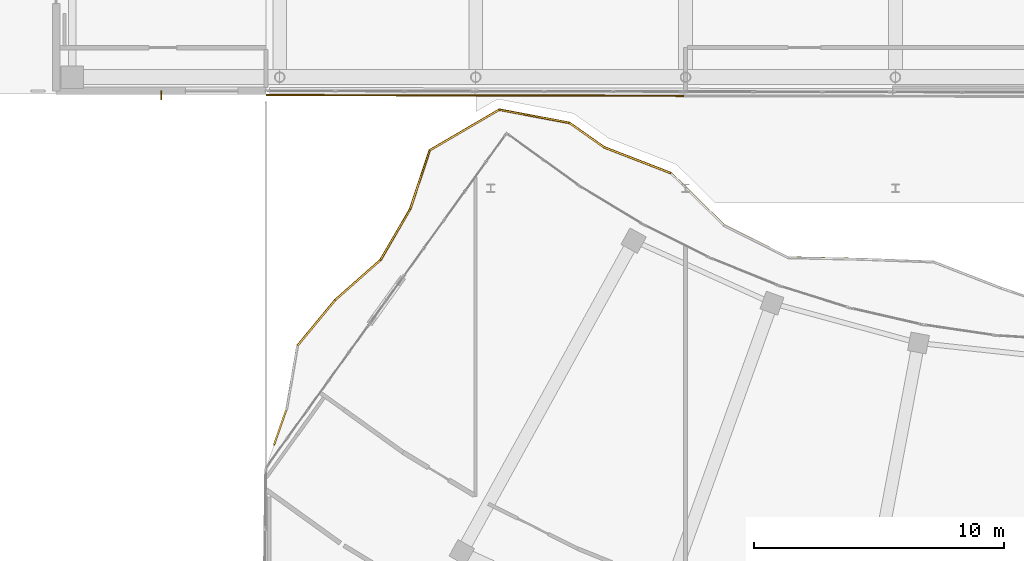
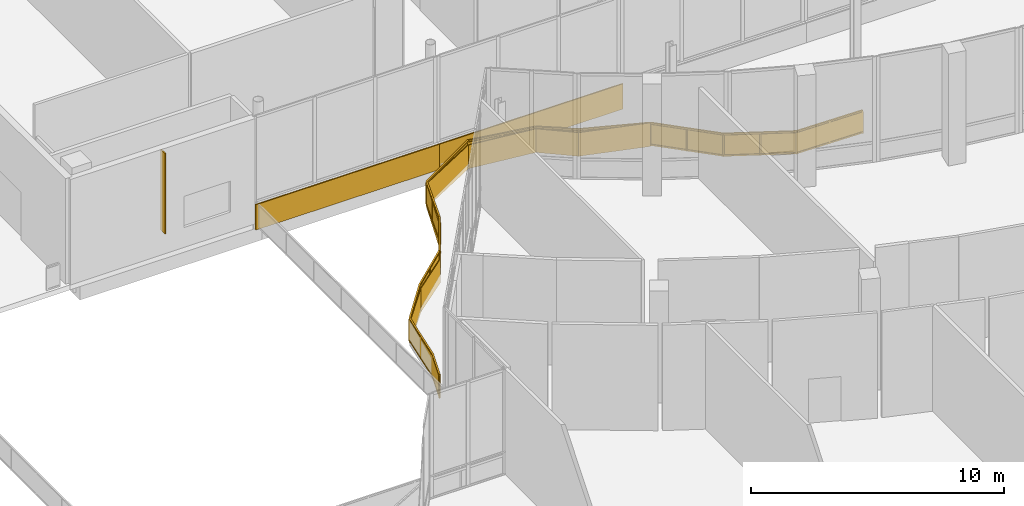
# One storey, part 148 of 158: 10 coverings, 1 railing, 1 shading device.
"""IFC4 building model written with IfcOpenShell, lengths in metres."""

from ifc_helpers import new_model, si_unit, direction, frame, origin, origin_2d, place, context, subcontext, project, spatial, polyline, rectangle, outline, extrude, material, layer, layer_set, type_object, element, save


model = new_model("IFC4")

# Units and contexts
model_context = context("Model", 3, precision=1e-05, world=origin(), true_north=direction((0.0, 1.0)))
body_context = subcontext(model_context, "Body", "Model", "MODEL_VIEW")
ifc_project = project(units=[si_unit("LENGTHUNIT", "METRE"), si_unit("AREAUNIT", "SQUARE_METRE"), si_unit("VOLUMEUNIT", "CUBIC_METRE"), si_unit("PLANEANGLEUNIT", "RADIAN"), si_unit("MASSUNIT", "GRAM", prefix="KILO")], contexts=[model_context])

# Site, building, storey
site_placement = place(None, origin())
site = spatial("IfcSite", under=ifc_project, at=site_placement, CompositionType="ELEMENT")
building_placement = place(site_placement, origin())
building = spatial("IfcBuilding", under=site, at=building_placement, Name="Selatvlak General Hospital", CompositionType="ELEMENT")
storey_placement = place(building_placement, origin())
storey = spatial("IfcBuildingStorey", under=building, at=storey_placement, Name="L00", CompositionType="ELEMENT", Elevation=0.0)

# Coverings
ifc_material_1 = material(Name="PVDF aluminium fascia - oxide red", Category="aluminium")
ifc_layer_1 = layer(ifc_material_1, 0.070068359375, Name="PVDF aluminium fascia - oxide red", Category="aluminium")
ifc_layer_set_1 = layer_set([ifc_layer_1], Name="PVDF aluminium fascia - oxide red")
covering_type_1 = type_object("IfcCoveringType", Name="COV-RB-RED", PredefinedType="CLADDING", material=ifc_layer_set_1)
covering_1_placement = place(storey_placement, frame((36.3310546875, 49.748046875, -0.179931640625), z_axis=(0.0, 0.0, 1.0), x_axis=(-0.8178265362, 0.57546481794, 0.0)))
element("IfcCovering", 1, at=covering_1_placement, inside=storey, type_object=covering_type_1, Name="L00 De Stijl waving fascia streamer 001", PredefinedType="CLADDING", context=body_context, shape_type="SweptSolid", body=[
    extrude(outline(polyline([(0.0, 0.0), (1.6923828125, 0.079833984375), (1.6923828125, 1.2197265625), (0.0, 1.139892578125), (0.0, 0.0)])), frame((0.0, 0.03515625, 0.0), z_axis=(0.0, -1.0, 0.0), x_axis=(1.0, 0.0, 0.0)), (0.0, 0.0, 1.0), 0.070068359375),
])
covering_2_placement = place(storey_placement, frame((34.952880859375, 50.720947265625, -0.10009765625), z_axis=(0.0, 0.0, 1.0), x_axis=(-0.982630844031, 0.185571076302, 0.0)))
element("IfcCovering", 2, at=covering_2_placement, inside=storey, type_object=covering_type_1, Name="L00 De Stijl waving fascia streamer 002", PredefinedType="CLADDING", context=body_context, shape_type="SweptSolid", body=[
    extrude(outline(polyline([(0.0, 0.0), (2.861572265625, -0.1328125), (2.861572265625, 1.007080078125), (0.0, 1.139892578125), (0.0, 0.0)])), frame((0.0, 0.03515625, 0.0), z_axis=(0.0, -1.0, 0.0), x_axis=(1.0, 0.0, 0.0)), (0.0, 0.0, 1.0), 0.070068359375),
])
covering_3_placement = place(storey_placement, frame((32.15087890625, 51.2529296875, -0.23291015625), z_axis=(0.0, 0.0, 1.0), x_axis=(-0.863352783809, -0.504600803298, 0.0)))
element("IfcCovering", 3, at=covering_3_placement, inside=storey, type_object=covering_type_1, Name="L00 De Stijl waving fascia streamer 003", PredefinedType="CLADDING", context=body_context, shape_type="SweptSolid", body=[
    extrude(outline(polyline([(0.0, 0.0), (3.244140625, 0.141845703125), (3.244140625, 1.28173828125), (0.0, 1.139892578125), (0.0, 0.0)])), frame((0.0, 0.03515625, 0.0), z_axis=(0.0, -1.0, 0.0), x_axis=(1.0, 0.0, 0.0)), (0.0, 0.0, 1.0), 0.070068359375),
])
covering_4_placement = place(storey_placement, frame((29.35400390625, 49.618896484375, -0.091064453125), z_axis=(0.0, 0.0, 1.0), x_axis=(-0.314092833999, -0.949392274895, 0.0)))
element("IfcCovering", 4, at=covering_4_placement, inside=storey, type_object=covering_type_1, Name="L00 De Stijl waving fascia streamer 004", PredefinedType="CLADDING", context=body_context, shape_type="SweptSolid", body=[
    extrude(outline(polyline([(0.0, 0.0), (2.470947265625, -0.246826171875), (2.470947265625, 0.89306640625), (0.0, 1.139892578125), (0.0, 0.0)])), frame((0.0, 0.03515625, 0.0), z_axis=(0.0, -1.0, 0.0), x_axis=(1.0, 0.0, 0.0)), (0.0, 0.0, 1.0), 0.070068359375),
])
covering_5_placement = place(storey_placement, frame((28.577880859375, 47.27294921875, -0.337890625), z_axis=(0.0, 0.0, 1.0), x_axis=(-0.503999186591, -0.863704127532, 0.0)))
element("IfcCovering", 5, at=covering_5_placement, inside=storey, type_object=covering_type_1, Name="L00 De Stijl waving fascia streamer 005", PredefinedType="CLADDING", context=body_context, shape_type="SweptSolid", body=[
    extrude(outline(polyline([(0.0, 0.0), (2.36865234375, -0.0751953125), (2.36865234375, 1.064697265625), (0.0, 1.139892578125), (0.0, 0.0)])), frame((0.0, 0.03515625, 0.0), z_axis=(0.0, -1.0, 0.0), x_axis=(1.0, 0.0, 0.0)), (0.0, 0.0, 1.0), 0.070068359375),
])
covering_6_placement = place(storey_placement, frame((27.384033203125, 45.22705078125, -0.4130859375), z_axis=(0.0, 0.0, 1.0), x_axis=(-0.749200869086, -0.662342855145, 0.0)))
element("IfcCovering", 6, at=covering_6_placement, inside=storey, type_object=covering_type_1, Name="L00 De Stijl waving fascia streamer 006", PredefinedType="CLADDING", context=body_context, shape_type="SweptSolid", body=[
    extrude(outline(polyline([(0.0, 0.0), (2.417236328125, 0.177978515625), (2.417236328125, 1.31787109375), (0.0, 1.139892578125), (0.0, 0.0)])), frame((0.0, 0.03515625, 0.0), z_axis=(0.0, -1.0, 0.0), x_axis=(1.0, 0.0, 0.0)), (0.0, 0.0, 1.0), 0.070068359375),
])
covering_7_placement = place(storey_placement, frame((25.572998046875, 43.6259765625, -0.235107421875), z_axis=(0.0, 0.0, 1.0), x_axis=(-0.637324533634, -0.770595509219, 0.0)))
element("IfcCovering", 7, at=covering_7_placement, inside=storey, type_object=covering_type_1, Name="L00 De Stijl waving fascia streamer 007", PredefinedType="CLADDING", context=body_context, shape_type="SweptSolid", body=[
    extrude(outline(polyline([(0.0, 0.0), (2.36328125, 0.14013671875), (2.36328125, 1.280029296875), (0.0, 1.139892578125), (0.0, 0.0)])), frame((0.0, 0.03515625, 0.0), z_axis=(0.0, -1.0, 0.0), x_axis=(1.0, 0.0, 0.0)), (0.0, 0.0, 1.0), 0.070068359375),
])
covering_8_placement = place(storey_placement, frame((39.009033203125, 48.7099609375, -0.013916015625), z_axis=(0.0, 0.0, 1.0), x_axis=(-0.932512693906, 0.361137197895, 0.0)))
element("IfcCovering", 8, at=covering_8_placement, inside=storey, type_object=covering_type_1, Name="L00 De Stijl waving fascia streamer 102", PredefinedType="CLADDING", context=body_context, shape_type="SweptSolid", body=[
    extrude(outline(polyline([(0.0, 0.0), (2.871826171875, -0.166015625), (2.871826171875, 0.973876953125), (0.0, 1.139892578125), (0.0, 0.0)])), frame((0.0, 0.03515625, 0.0), z_axis=(0.0, -1.0, 0.0), x_axis=(1.0, 0.0, 0.0)), (0.0, 0.0, 1.0), 0.070068359375),
])
ifc_material_2 = material(Name="White Bauhaus fair-faced cladding panel")
ifc_layer_2 = layer(ifc_material_2, 0.054931640625, Name="White Bauhaus fair-faced cladding panel")
ifc_layer_set_2 = layer_set([ifc_layer_2], Name="White Bauhaus fair-faced cladding panel")
covering_type_2 = type_object("IfcCoveringType", Name="COV-WHT1", PredefinedType="CLADDING", material=ifc_layer_set_2)
for number, where, z_axis, x_axis, name in (
    (9, (35.35205078125, 51.81298828125, -0.27978515625), (0.0, 0.0, 1.0), (-0.999998384157, 0.001797688161, 0.0), "L00 Bauhaus horizontal white spandrel band 0026"),
    (10, (26.989990234375, 51.827880859375, -0.27978515625), (0.0, 0.0, 1.0), (-0.999998384157, 0.001797688161, 0.0), "L00 Bauhaus horizontal white spandrel band 0027"),
):
    element("IfcCovering", number, at=place(storey_placement, frame(where, z_axis=z_axis, x_axis=x_axis)), inside=storey, type_object=covering_type_2, Name=name, PredefinedType="CLADDING", context=body_context, shape_type="SweptSolid", body=[
        extrude(rectangle(XDim=8.362060546875, YDim=0.054931640625, at=origin_2d()), origin(), (0.0, 0.0, 1.0), 1.219970703125),
    ])

# Railing
ifc_material_3 = material(Name="Stainless steel 316 safety balustrade", Category="steel")
railing_type = type_object("IfcRailingType", Name="RAIL-BAL1", PredefinedType="BALUSTRADE", material=ifc_material_3)
railing_placement = place(storey_placement, frame((23.125, 37.840087890625, 0.0)))
element("IfcRailing", 11, at=railing_placement, inside=storey, type_object=railing_type, Name="L00 continuous curved balcony balustrade 0004", PredefinedType="BALUSTRADE", context=body_context, shape_type="SweptSolid", body=[
    extrude(rectangle(XDim=0.068115234375, YDim=0.068115234375, at=origin_2d()), frame((0.0009765625, 0.002685546875, 1.0859375), z_axis=(0.329530318394, 0.944144993769, 0.0), x_axis=(-0.944144993769, 0.329530318394, 0.0)), (0.0, 0.0, 1.0), 1.46630859375),
    extrude(rectangle(XDim=0.068115234375, YDim=0.068115234375, at=origin_2d()), frame((0.0009765625, 0.002685546875, 0.049072265625), z_axis=(0.329530318394, 0.944144993769, 0.0), x_axis=(-0.944144993769, 0.329530318394, 0.0)), (0.0, 0.0, 1.0), 1.46630859375),
    extrude(outline(polyline([(0.0, 0.0), (1.460205078125, 0.0), (1.460205078125, 0.94189453125), (0.0, 0.94189453125), (0.0, 0.0)])), frame((-0.01513671875, 0.011474609375, 0.0849609375), z_axis=(0.944144993769, -0.329530318394, 0.0), x_axis=(0.329530318394, 0.944144993769, 0.0)), (0.0, 0.0, 1.0), 0.031982421875),
    extrude(rectangle(XDim=0.068115234375, YDim=0.068115234375, at=origin_2d()), frame((0.485595703125, 1.392822265625, 1.0859375), z_axis=(0.169651227354, 0.985504165926, 0.0), x_axis=(-0.985504165926, 0.169651227354, 0.0)), (0.0, 0.0, 1.0), 2.6162109375),
    extrude(rectangle(XDim=0.068115234375, YDim=0.068115234375, at=origin_2d()), frame((0.485595703125, 1.392822265625, 0.049072265625), z_axis=(0.169651227354, 0.985504165926, 0.0), x_axis=(-0.985504165926, 0.169651227354, 0.0)), (0.0, 0.0, 1.0), 2.6162109375),
    extrude(outline(polyline([(0.0, 0.0), (2.610107421875, 0.0), (2.610107421875, 0.94189453125), (0.0, 0.94189453125), (0.0, 0.0)])), frame((0.468505859375, 1.39892578125, 0.0849609375), z_axis=(0.985504165926, -0.169651227354, 0.0), x_axis=(0.169651227354, 0.985504165926, 0.0)), (0.0, 0.0, 1.0), 0.031982421875),
    extrude(rectangle(XDim=0.068115234375, YDim=0.068115234375, at=origin_2d()), frame((0.931884765625, 3.97607421875, 1.0859375), z_axis=(0.637324533634, 0.770595509219, 0.0), x_axis=(-0.770595509219, 0.637324533634, 0.0)), (0.0, 0.0, 1.0), 2.357421875),
    extrude(rectangle(XDim=0.068115234375, YDim=0.068115234375, at=origin_2d()), frame((0.931884765625, 3.97607421875, 0.049072265625), z_axis=(0.637324533634, 0.770595509219, 0.0), x_axis=(-0.770595509219, 0.637324533634, 0.0)), (0.0, 0.0, 1.0), 2.357421875),
    extrude(outline(polyline([(0.0, 0.0), (2.35107421875, 0.0), (2.35107421875, 0.94189453125), (0.0, 0.94189453125), (0.0, 0.0)])), frame((0.919921875, 3.989990234375, 0.0849609375), z_axis=(0.770595509219, -0.637324533634, 0.0), x_axis=(0.637324533634, 0.770595509219, 0.0)), (0.0, 0.0, 1.0), 0.031982421875),
    extrude(rectangle(XDim=0.068115234375, YDim=0.068115234375, at=origin_2d()), frame((2.438232421875, 5.796875, 1.0859375), z_axis=(0.749200869086, 0.662342855145, 0.0), x_axis=(-0.662342855145, 0.749200869086, 0.0)), (0.0, 0.0, 1.0), 2.411376953125),
    extrude(rectangle(XDim=0.068115234375, YDim=0.068115234375, at=origin_2d()), frame((2.438232421875, 5.796875, 0.049072265625), z_axis=(0.749200869086, 0.662342855145, 0.0), x_axis=(-0.662342855145, 0.749200869086, 0.0)), (0.0, 0.0, 1.0), 2.411376953125),
    extrude(outline(polyline([(0.0, 0.0), (2.4052734375, 0.0), (2.4052734375, 0.94189453125), (0.0, 0.94189453125), (0.0, 0.0)])), frame((2.4287109375, 5.8125, 0.0849609375), z_axis=(0.662342855145, -0.749200869086, 0.0), x_axis=(0.749200869086, 0.662342855145, 0.0)), (0.0, 0.0, 1.0), 0.031982421875),
    extrude(rectangle(XDim=0.068115234375, YDim=0.068115234375, at=origin_2d()), frame((4.24853515625, 7.3984375, 1.0859375), z_axis=(0.503999186591, 0.863704127532, 0.0), x_axis=(-0.863704127532, 0.503999186591, 0.0)), (0.0, 0.0, 1.0), 2.36279296875),
    extrude(rectangle(XDim=0.068115234375, YDim=0.068115234375, at=origin_2d()), frame((4.24853515625, 7.3984375, 0.049072265625), z_axis=(0.503999186591, 0.863704127532, 0.0), x_axis=(-0.863704127532, 0.503999186591, 0.0)), (0.0, 0.0, 1.0), 2.36279296875),
    extrude(outline(polyline([(0.0, 0.0), (2.356689453125, 0.0), (2.356689453125, 0.94189453125), (0.0, 0.94189453125), (0.0, 0.0)])), frame((4.234619140625, 7.41015625, 0.0849609375), z_axis=(0.863704127532, -0.503999186591, 0.0), x_axis=(0.503999186591, 0.863704127532, 0.0)), (0.0, 0.0, 1.0), 0.031982421875),
    extrude(rectangle(XDim=0.068115234375, YDim=0.068115234375, at=origin_2d()), frame((5.44189453125, 9.444580078125, 1.0859375), z_axis=(0.314092833999, 0.949392274895, 0.0), x_axis=(-0.949392274895, 0.314092833999, 0.0)), (0.0, 0.0, 1.0), 2.465087890625),
    extrude(rectangle(XDim=0.068115234375, YDim=0.068115234375, at=origin_2d()), frame((5.44189453125, 9.444580078125, 0.049072265625), z_axis=(0.314092833999, 0.949392274895, 0.0), x_axis=(-0.949392274895, 0.314092833999, 0.0)), (0.0, 0.0, 1.0), 2.465087890625),
    extrude(outline(polyline([(0.0, 0.0), (2.458984375, 0.0), (2.458984375, 0.94189453125), (0.0, 0.94189453125), (0.0, 0.0)])), frame((5.42578125, 9.453125, 0.0849609375), z_axis=(0.949392274895, -0.314092833999, 0.0), x_axis=(0.314092833999, 0.949392274895, 0.0)), (0.0, 0.0, 1.0), 0.031982421875),
    extrude(rectangle(XDim=0.068115234375, YDim=0.068115234375, at=origin_2d()), frame((6.219482421875, 11.789306640625, 1.0859375), z_axis=(0.863371944127, 0.504568019295, 0.0), x_axis=(-0.504568019295, 0.863371944127, 0.0)), (0.0, 0.0, 1.0), 3.238525390625),
    extrude(rectangle(XDim=0.068115234375, YDim=0.068115234375, at=origin_2d()), frame((6.219482421875, 11.789306640625, 0.049072265625), z_axis=(0.863371944127, 0.504568019295, 0.0), x_axis=(-0.504568019295, 0.863371944127, 0.0)), (0.0, 0.0, 1.0), 3.238525390625),
    extrude(outline(polyline([(0.0, 0.0), (3.232177734375, 0.0), (3.232177734375, 0.94189453125), (0.0, 0.94189453125), (0.0, 0.0)])), frame((6.213134765625, 11.806396484375, 0.0849609375), z_axis=(0.504568019295, -0.863371944127, 0.0), x_axis=(0.863371944127, 0.504568019295, 0.0)), (0.0, 0.0, 1.0), 0.031982421875),
    extrude(rectangle(XDim=0.068115234375, YDim=0.068115234375, at=origin_2d()), frame((9.02099609375, 13.42431640625, 1.0859375), z_axis=(0.982633781795, -0.185555519657, 0.0), x_axis=(0.185555519657, 0.982633781795, 0.0)), (0.0, 0.0, 1.0), 2.85595703125),
    extrude(rectangle(XDim=0.068115234375, YDim=0.068115234375, at=origin_2d()), frame((9.02099609375, 13.42431640625, 0.049072265625), z_axis=(0.982633781795, -0.185555519657, 0.0), x_axis=(0.185555519657, 0.982633781795, 0.0)), (0.0, 0.0, 1.0), 2.85595703125),
    extrude(outline(polyline([(0.0, 0.0), (2.849609375, 0.0), (2.849609375, 0.94189453125), (0.0, 0.94189453125), (0.0, 0.0)])), frame((9.02734375, 13.44140625, 0.0849609375), z_axis=(-0.185555519657, -0.982633781795, 0.0), x_axis=(0.982633781795, -0.185555519657, 0.0)), (0.0, 0.0, 1.0), 0.031982421875),
    extrude(rectangle(XDim=0.068115234375, YDim=0.068115234375, at=origin_2d()), frame((11.83251953125, 12.89208984375, 1.0859375), z_axis=(0.8178265362, -0.57546481794, 0.0), x_axis=(0.57546481794, 0.8178265362, 0.0)), (0.0, 0.0, 1.0), 1.6865234375),
    extrude(rectangle(XDim=0.068115234375, YDim=0.068115234375, at=origin_2d()), frame((11.83251953125, 12.89208984375, 0.049072265625), z_axis=(0.8178265362, -0.57546481794, 0.0), x_axis=(0.57546481794, 0.8178265362, 0.0)), (0.0, 0.0, 1.0), 1.6865234375),
    extrude(outline(polyline([(0.0, 0.0), (1.680419921875, 0.0), (1.680419921875, 0.94189453125), (0.0, 0.94189453125), (0.0, 0.0)])), frame((11.845458984375, 12.905029296875, 0.0849609375), z_axis=(-0.57546481794, -0.8178265362, 0.0), x_axis=(0.8178265362, -0.57546481794, 0.0)), (0.0, 0.0, 1.0), 0.031982421875),
    extrude(rectangle(XDim=0.068115234375, YDim=0.068115234375, at=origin_2d()), frame((13.216796875, 11.9189453125, 1.0859375), z_axis=(0.932512693906, -0.361137197895, 0.0), x_axis=(0.361137197895, 0.932512693906, 0.0)), (0.0, 0.0, 1.0), 2.865966796875),
    extrude(rectangle(XDim=0.068115234375, YDim=0.068115234375, at=origin_2d()), frame((13.216796875, 11.9189453125, 0.049072265625), z_axis=(0.932512693906, -0.361137197895, 0.0), x_axis=(0.361137197895, 0.932512693906, 0.0)), (0.0, 0.0, 1.0), 2.865966796875),
    extrude(outline(polyline([(0.0, 0.0), (2.85986328125, 0.0), (2.85986328125, 0.94189453125), (0.0, 0.94189453125), (0.0, 0.0)])), frame((13.226318359375, 11.9345703125, 0.0849609375), z_axis=(-0.361137197895, -0.932512693906, 0.0), x_axis=(0.932512693906, -0.361137197895, 0.0)), (0.0, 0.0, 1.0), 0.031982421875),
    extrude(rectangle(XDim=0.068115234375, YDim=0.068115234375, at=origin_2d()), frame((15.894287109375, 10.880859375, 1.0859375), z_axis=(0.712458312728, -0.701714438091, 0.0), x_axis=(0.701714438091, 0.712458312728, 0.0)), (0.0, 0.0, 1.0), 2.970947265625),
    extrude(rectangle(XDim=0.068115234375, YDim=0.068115234375, at=origin_2d()), frame((15.894287109375, 10.880859375, 0.049072265625), z_axis=(0.712458312728, -0.701714438091, 0.0), x_axis=(0.701714438091, 0.712458312728, 0.0)), (0.0, 0.0, 1.0), 2.970947265625),
    extrude(outline(polyline([(0.0, 0.0), (2.96484375, 0.0), (2.96484375, 0.94189453125), (0.0, 0.94189453125), (0.0, 0.0)])), frame((15.908935546875, 10.891357421875, 0.0849609375), z_axis=(-0.701714438091, -0.712458312728, 0.0), x_axis=(0.712458312728, -0.701714438091, 0.0)), (0.0, 0.0, 1.0), 0.031982421875),
    extrude(rectangle(XDim=0.068115234375, YDim=0.068115234375, at=origin_2d()), frame((18.015625, 8.792724609375, 1.0859375), z_axis=(0.893885197226, -0.448295944862, 0.0), x_axis=(0.448295944862, 0.893885197226, 0.0)), (0.0, 0.0, 1.0), 2.880615234375),
    extrude(rectangle(XDim=0.068115234375, YDim=0.068115234375, at=origin_2d()), frame((18.015625, 8.792724609375, 0.049072265625), z_axis=(0.893885197226, -0.448295944862, 0.0), x_axis=(0.448295944862, 0.893885197226, 0.0)), (0.0, 0.0, 1.0), 2.880615234375),
    extrude(outline(polyline([(0.0, 0.0), (2.874267578125, 0.0), (2.874267578125, 0.94189453125), (0.0, 0.94189453125), (0.0, 0.0)])), frame((18.0263671875, 8.807373046875, 0.0849609375), z_axis=(-0.448295944862, -0.893885197226, 0.0), x_axis=(0.893885197226, -0.448295944862, 0.0)), (0.0, 0.0, 1.0), 0.031982421875),
    extrude(rectangle(XDim=0.068115234375, YDim=0.068115234375, at=origin_2d()), frame((20.595947265625, 7.5, 1.0859375), z_axis=(0.999775768079, -0.0211757777, 0.0), x_axis=(0.0211757777, 0.999775768079, 0.0)), (0.0, 0.0, 1.0), 2.96875),
    extrude(rectangle(XDim=0.068115234375, YDim=0.068115234375, at=origin_2d()), frame((20.595947265625, 7.5, 0.049072265625), z_axis=(0.999775768079, -0.0211757777, 0.0), x_axis=(0.0211757777, 0.999775768079, 0.0)), (0.0, 0.0, 1.0), 2.96875),
    extrude(outline(polyline([(0.0, 0.0), (2.962646484375, 0.0), (2.962646484375, 0.94189453125), (0.0, 0.94189453125), (0.0, 0.0)])), frame((20.599365234375, 7.517822265625, 0.0849609375), z_axis=(-0.0211757777, -0.999775768079, 0.0), x_axis=(0.999775768079, -0.0211757777, 0.0)), (0.0, 0.0, 1.0), 0.031982421875),
    extrude(rectangle(XDim=0.055908203125, YDim=0.055908203125, at=origin_2d()), origin(), (0.0, 0.0, 1.0), 1.049072265625),
    extrude(rectangle(XDim=0.055908203125, YDim=0.055908203125, at=origin_2d()), frame((0.485107421875, 1.389892578125, 0.0)), (0.0, 0.0, 1.0), 1.049072265625),
    extrude(rectangle(XDim=0.055908203125, YDim=0.055908203125, at=origin_2d()), frame((0.70751953125, 2.681884765625, 0.0)), (0.0, 0.0, 1.0), 1.049072265625),
    extrude(rectangle(XDim=0.055908203125, YDim=0.055908203125, at=origin_2d()), frame((0.929931640625, 3.973876953125, 0.0)), (0.0, 0.0, 1.0), 1.049072265625),
    extrude(rectangle(XDim=0.055908203125, YDim=0.055908203125, at=origin_2d()), frame((1.68310546875, 4.88427734375, 0.0)), (0.0, 0.0, 1.0), 1.049072265625),
    extrude(rectangle(XDim=0.055908203125, YDim=0.055908203125, at=origin_2d()), frame((2.43603515625, 5.794921875, 0.0)), (0.0, 0.0, 1.0), 1.049072265625),
    extrude(rectangle(XDim=0.055908203125, YDim=0.055908203125, at=origin_2d()), frame((3.341552734375, 6.595458984375, 0.0)), (0.0, 0.0, 1.0), 1.049072265625),
    extrude(rectangle(XDim=0.055908203125, YDim=0.055908203125, at=origin_2d()), frame((4.2470703125, 7.39599609375, 0.0)), (0.0, 0.0, 1.0), 1.049072265625),
    extrude(rectangle(XDim=0.055908203125, YDim=0.055908203125, at=origin_2d()), frame((4.843994140625, 8.4189453125, 0.0)), (0.0, 0.0, 1.0), 1.049072265625),
    extrude(rectangle(XDim=0.055908203125, YDim=0.055908203125, at=origin_2d()), frame((5.44091796875, 9.44189453125, 0.0)), (0.0, 0.0, 1.0), 1.049072265625),
    extrude(rectangle(XDim=0.055908203125, YDim=0.055908203125, at=origin_2d()), frame((5.8291015625, 10.61474609375, 0.0)), (0.0, 0.0, 1.0), 1.049072265625),
    extrude(rectangle(XDim=0.055908203125, YDim=0.055908203125, at=origin_2d()), frame((6.217041015625, 11.787841796875, 0.0)), (0.0, 0.0, 1.0), 1.049072265625),
    extrude(rectangle(XDim=0.055908203125, YDim=0.055908203125, at=origin_2d()), frame((7.61767578125, 12.6064453125, 0.0)), (0.0, 0.0, 1.0), 1.049072265625),
    extrude(rectangle(XDim=0.055908203125, YDim=0.055908203125, at=origin_2d()), frame((9.01806640625, 13.4248046875, 0.0)), (0.0, 0.0, 1.0), 1.049072265625),
    extrude(rectangle(XDim=0.055908203125, YDim=0.055908203125, at=origin_2d()), frame((10.424072265625, 13.1591796875, 0.0)), (0.0, 0.0, 1.0), 1.049072265625),
    extrude(rectangle(XDim=0.055908203125, YDim=0.055908203125, at=origin_2d()), frame((11.830078125, 12.893798828125, 0.0)), (0.0, 0.0, 1.0), 1.049072265625),
    extrude(rectangle(XDim=0.055908203125, YDim=0.055908203125, at=origin_2d()), frame((13.214111328125, 11.919921875, 0.0)), (0.0, 0.0, 1.0), 1.049072265625),
    extrude(rectangle(XDim=0.055908203125, YDim=0.055908203125, at=origin_2d()), frame((14.55322265625, 11.4013671875, 0.0)), (0.0, 0.0, 1.0), 1.049072265625),
    extrude(rectangle(XDim=0.055908203125, YDim=0.055908203125, at=origin_2d()), frame((15.89208984375, 10.8828125, 0.0)), (0.0, 0.0, 1.0), 1.049072265625),
    extrude(rectangle(XDim=0.055908203125, YDim=0.055908203125, at=origin_2d()), frame((16.95263671875, 9.83837890625, 0.0)), (0.0, 0.0, 1.0), 1.049072265625),
    extrude(rectangle(XDim=0.055908203125, YDim=0.055908203125, at=origin_2d()), frame((18.012939453125, 8.7939453125, 0.0)), (0.0, 0.0, 1.0), 1.049072265625),
    extrude(rectangle(XDim=0.055908203125, YDim=0.055908203125, at=origin_2d()), frame((19.302978515625, 8.14697265625, 0.0)), (0.0, 0.0, 1.0), 1.049072265625),
    extrude(rectangle(XDim=0.055908203125, YDim=0.055908203125, at=origin_2d()), frame((20.593017578125, 7.5, 0.0)), (0.0, 0.0, 1.0), 1.049072265625),
    extrude(rectangle(XDim=0.055908203125, YDim=0.055908203125, at=origin_2d()), frame((22.080078125, 7.468505859375, 0.0)), (0.0, 0.0, 1.0), 1.049072265625),
    extrude(rectangle(XDim=0.055908203125, YDim=0.055908203125, at=origin_2d()), frame((23.56689453125, 7.43701171875, 0.0)), (0.0, 0.0, 1.0), 1.049072265625),
])

# Shading device
ifc_material_4 = material(Name="Anodised aluminium brise-soleil fin", Category="aluminium")
ifc_layer_3 = layer(ifc_material_4, 0.044921875, Name="Anodised aluminium brise-soleil fin", Category="aluminium")
ifc_layer_set_3 = layer_set([ifc_layer_3], Name="Anodised aluminium brise-soleil fin")
shading_device_type = type_object("IfcShadingDeviceType", Name="SHD-FIN1", PredefinedType="USERDEFINED", material=ifc_layer_set_3)
shading_device_placement = place(storey_placement, frame((18.60498046875, 51.827880859375, 1.10009765625), z_axis=(0.0, 0.0, 1.0), x_axis=(0.0, -1.0, 0.0)))
element("IfcShadingDevice", 12, at=shading_device_placement, inside=storey, type_object=shading_device_type, Name="L00 monsoon vertical brise-soleil fin 187", ObjectType="SUNSHADE", PredefinedType="USERDEFINED", context=body_context, shape_type="SweptSolid", body=[
    extrude(rectangle(XDim=0.35009765625, YDim=0.044921875, at=origin_2d()), origin(), (0.0, 0.0, 1.0), 3.8798828125),
])

save(model, "model.ifc")
